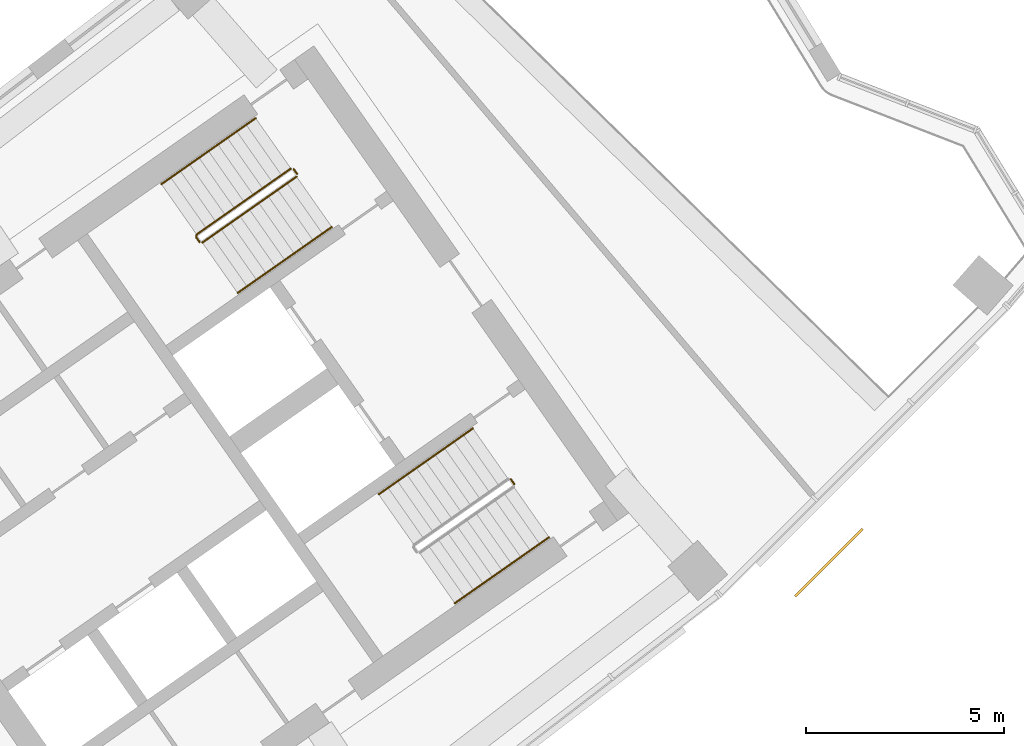
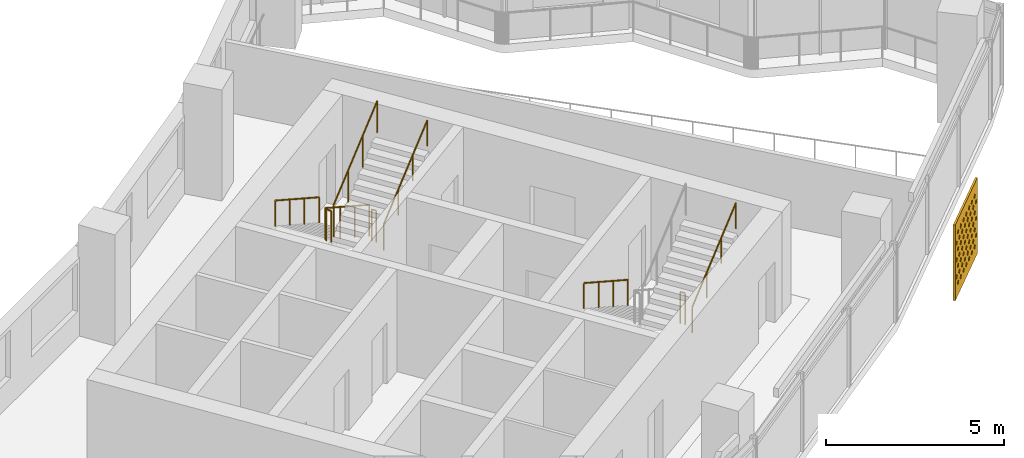
# One storey, part 28 of 29: 8 railings, 1 shading device.
"""IFC4 building model written with IfcOpenShell, lengths in metres."""

from ifc_helpers import new_model, si_unit, direction, frame, origin, origin_2d, place, context, subcontext, project, spatial, polyline, circle, outline, extrude, material, material_profile, profile_set, type_object, element, save


model = new_model("IFC4")

# Units and contexts
model_context = context("Model", 3, precision=1e-05, world=origin(), true_north=direction((0.0, 1.0)))
body_context = subcontext(model_context, "Body", "Model", "MODEL_VIEW")
ifc_project = project(units=[si_unit("LENGTHUNIT", "METRE"), si_unit("AREAUNIT", "SQUARE_METRE"), si_unit("VOLUMEUNIT", "CUBIC_METRE"), si_unit("PLANEANGLEUNIT", "RADIAN"), si_unit("MASSUNIT", "GRAM", prefix="KILO")], contexts=[model_context])

# Site, building, storey
site_placement = place(None, origin())
site = spatial("IfcSite", under=ifc_project, at=site_placement, CompositionType="ELEMENT")
building_placement = place(site_placement, origin())
building = spatial("IfcBuilding", under=site, at=building_placement, Name="Qamariyya Broadcast Tower", CompositionType="ELEMENT")
storey_placement = place(building_placement, frame((0.0, 0.0, 207.5)))
storey = spatial("IfcBuildingStorey", under=building, at=storey_placement, Name="L49", CompositionType="ELEMENT", Elevation=207.5)

# Shading device
ifc_material_1 = material(Name="Perforated glazed terracotta", Category="masonry")
ifc_material_profile = material_profile(ifc_material_1, outline(polyline([(-1.199951171875, -1.300048828125), (1.199951171875, -1.300048828125), (1.199951171875, 1.300048828125), (-1.199951171875, 1.300048828125), (-1.199951171875, -1.300048828125)]), holes=[polyline([(-0.81494140625, -0.86669921875), (-0.89990234375, -0.78173828125), (-0.985107421875, -0.86669921875), (-0.89990234375, -0.95166015625), (-0.81494140625, -0.86669921875)]), polyline([(-0.514892578125, -0.86669921875), (-0.60009765625, -0.78173828125), (-0.68505859375, -0.86669921875), (-0.60009765625, -0.95166015625), (-0.514892578125, -0.86669921875)]), polyline([(-0.215087890625, -0.86669921875), (-0.300048828125, -0.78173828125), (-0.385009765625, -0.86669921875), (-0.300048828125, -0.95166015625), (-0.215087890625, -0.86669921875)]), polyline([(0.0849609375, -0.86669921875), (0.0, -0.78173828125), (-0.0849609375, -0.86669921875), (0.0, -0.95166015625), (0.0849609375, -0.86669921875)]), polyline([(0.385009765625, -0.86669921875), (0.300048828125, -0.78173828125), (0.215087890625, -0.86669921875), (0.300048828125, -0.95166015625), (0.385009765625, -0.86669921875)]), polyline([(0.68505859375, -0.86669921875), (0.60009765625, -0.78173828125), (0.514892578125, -0.86669921875), (0.60009765625, -0.95166015625), (0.68505859375, -0.86669921875)]), polyline([(0.985107421875, -0.86669921875), (0.89990234375, -0.78173828125), (0.81494140625, -0.86669921875), (0.89990234375, -0.95166015625), (0.985107421875, -0.86669921875)]), polyline([(-0.965087890625, -0.577880859375), (-1.050048828125, -0.49267578125), (-1.135009765625, -0.577880859375), (-1.050048828125, -0.662841796875), (-0.965087890625, -0.577880859375)]), polyline([(-0.6650390625, -0.577880859375), (-0.75, -0.49267578125), (-0.8349609375, -0.577880859375), (-0.75, -0.662841796875), (-0.6650390625, -0.577880859375)]), polyline([(-0.364990234375, -0.577880859375), (-0.449951171875, -0.49267578125), (-0.534912109375, -0.577880859375), (-0.449951171875, -0.662841796875), (-0.364990234375, -0.577880859375)]), polyline([(-0.06494140625, -0.577880859375), (-0.14990234375, -0.49267578125), (-0.235107421875, -0.577880859375), (-0.14990234375, -0.662841796875), (-0.06494140625, -0.577880859375)]), polyline([(0.235107421875, -0.577880859375), (0.14990234375, -0.49267578125), (0.06494140625, -0.577880859375), (0.14990234375, -0.662841796875), (0.235107421875, -0.577880859375)]), polyline([(0.534912109375, -0.577880859375), (0.449951171875, -0.49267578125), (0.364990234375, -0.577880859375), (0.449951171875, -0.662841796875), (0.534912109375, -0.577880859375)]), polyline([(0.8349609375, -0.577880859375), (0.75, -0.49267578125), (0.6650390625, -0.577880859375), (0.75, -0.662841796875), (0.8349609375, -0.577880859375)]), polyline([(1.135009765625, -0.577880859375), (1.050048828125, -0.49267578125), (0.965087890625, -0.577880859375), (1.050048828125, -0.662841796875), (1.135009765625, -0.577880859375)]), polyline([(-0.81494140625, -0.288818359375), (-0.89990234375, -0.203857421875), (-0.985107421875, -0.288818359375), (-0.89990234375, -0.373779296875), (-0.81494140625, -0.288818359375)]), polyline([(-0.514892578125, -0.288818359375), (-0.60009765625, -0.203857421875), (-0.68505859375, -0.288818359375), (-0.60009765625, -0.373779296875), (-0.514892578125, -0.288818359375)]), polyline([(-0.215087890625, -0.288818359375), (-0.300048828125, -0.203857421875), (-0.385009765625, -0.288818359375), (-0.300048828125, -0.373779296875), (-0.215087890625, -0.288818359375)]), polyline([(0.0849609375, -0.288818359375), (0.0, -0.203857421875), (-0.0849609375, -0.288818359375), (0.0, -0.373779296875), (0.0849609375, -0.288818359375)]), polyline([(0.385009765625, -0.288818359375), (0.300048828125, -0.203857421875), (0.215087890625, -0.288818359375), (0.300048828125, -0.373779296875), (0.385009765625, -0.288818359375)]), polyline([(0.68505859375, -0.288818359375), (0.60009765625, -0.203857421875), (0.514892578125, -0.288818359375), (0.60009765625, -0.373779296875), (0.68505859375, -0.288818359375)]), polyline([(0.985107421875, -0.288818359375), (0.89990234375, -0.203857421875), (0.81494140625, -0.288818359375), (0.89990234375, -0.373779296875), (0.985107421875, -0.288818359375)]), polyline([(-0.965087890625, 0.0), (-1.050048828125, 0.0849609375), (-1.135009765625, 0.0), (-1.050048828125, -0.0849609375), (-0.965087890625, 0.0)]), polyline([(-0.6650390625, 0.0), (-0.75, 0.0849609375), (-0.8349609375, 0.0), (-0.75, -0.0849609375), (-0.6650390625, 0.0)]), polyline([(-0.364990234375, 0.0), (-0.449951171875, 0.0849609375), (-0.534912109375, 0.0), (-0.449951171875, -0.0849609375), (-0.364990234375, 0.0)]), polyline([(-0.06494140625, 0.0), (-0.14990234375, 0.0849609375), (-0.235107421875, 0.0), (-0.14990234375, -0.0849609375), (-0.06494140625, 0.0)]), polyline([(0.235107421875, 0.0), (0.14990234375, 0.0849609375), (0.06494140625, 0.0), (0.14990234375, -0.0849609375), (0.235107421875, 0.0)]), polyline([(0.534912109375, 0.0), (0.449951171875, 0.0849609375), (0.364990234375, 0.0), (0.449951171875, -0.0849609375), (0.534912109375, 0.0)]), polyline([(0.8349609375, 0.0), (0.75, 0.0849609375), (0.6650390625, 0.0), (0.75, -0.0849609375), (0.8349609375, 0.0)]), polyline([(1.135009765625, 0.0), (1.050048828125, 0.0849609375), (0.965087890625, 0.0), (1.050048828125, -0.0849609375), (1.135009765625, 0.0)]), polyline([(-0.81494140625, 0.288818359375), (-0.89990234375, 0.373779296875), (-0.985107421875, 0.288818359375), (-0.89990234375, 0.203857421875), (-0.81494140625, 0.288818359375)]), polyline([(-0.514892578125, 0.288818359375), (-0.60009765625, 0.373779296875), (-0.68505859375, 0.288818359375), (-0.60009765625, 0.203857421875), (-0.514892578125, 0.288818359375)]), polyline([(-0.215087890625, 0.288818359375), (-0.300048828125, 0.373779296875), (-0.385009765625, 0.288818359375), (-0.300048828125, 0.203857421875), (-0.215087890625, 0.288818359375)]), polyline([(0.0849609375, 0.288818359375), (0.0, 0.373779296875), (-0.0849609375, 0.288818359375), (0.0, 0.203857421875), (0.0849609375, 0.288818359375)]), polyline([(0.385009765625, 0.288818359375), (0.300048828125, 0.373779296875), (0.215087890625, 0.288818359375), (0.300048828125, 0.203857421875), (0.385009765625, 0.288818359375)]), polyline([(0.68505859375, 0.288818359375), (0.60009765625, 0.373779296875), (0.514892578125, 0.288818359375), (0.60009765625, 0.203857421875), (0.68505859375, 0.288818359375)]), polyline([(0.985107421875, 0.288818359375), (0.89990234375, 0.373779296875), (0.81494140625, 0.288818359375), (0.89990234375, 0.203857421875), (0.985107421875, 0.288818359375)]), polyline([(-0.965087890625, 0.577880859375), (-1.050048828125, 0.662841796875), (-1.135009765625, 0.577880859375), (-1.050048828125, 0.49267578125), (-0.965087890625, 0.577880859375)]), polyline([(-0.6650390625, 0.577880859375), (-0.75, 0.662841796875), (-0.8349609375, 0.577880859375), (-0.75, 0.49267578125), (-0.6650390625, 0.577880859375)]), polyline([(-0.364990234375, 0.577880859375), (-0.449951171875, 0.662841796875), (-0.534912109375, 0.577880859375), (-0.449951171875, 0.49267578125), (-0.364990234375, 0.577880859375)]), polyline([(-0.06494140625, 0.577880859375), (-0.14990234375, 0.662841796875), (-0.235107421875, 0.577880859375), (-0.14990234375, 0.49267578125), (-0.06494140625, 0.577880859375)]), polyline([(0.235107421875, 0.577880859375), (0.14990234375, 0.662841796875), (0.06494140625, 0.577880859375), (0.14990234375, 0.49267578125), (0.235107421875, 0.577880859375)]), polyline([(0.534912109375, 0.577880859375), (0.449951171875, 0.662841796875), (0.364990234375, 0.577880859375), (0.449951171875, 0.49267578125), (0.534912109375, 0.577880859375)]), polyline([(0.8349609375, 0.577880859375), (0.75, 0.662841796875), (0.6650390625, 0.577880859375), (0.75, 0.49267578125), (0.8349609375, 0.577880859375)]), polyline([(1.135009765625, 0.577880859375), (1.050048828125, 0.662841796875), (0.965087890625, 0.577880859375), (1.050048828125, 0.49267578125), (1.135009765625, 0.577880859375)]), polyline([(-0.81494140625, 0.86669921875), (-0.89990234375, 0.95166015625), (-0.985107421875, 0.86669921875), (-0.89990234375, 0.78173828125), (-0.81494140625, 0.86669921875)]), polyline([(-0.514892578125, 0.86669921875), (-0.60009765625, 0.95166015625), (-0.68505859375, 0.86669921875), (-0.60009765625, 0.78173828125), (-0.514892578125, 0.86669921875)]), polyline([(-0.215087890625, 0.86669921875), (-0.300048828125, 0.95166015625), (-0.385009765625, 0.86669921875), (-0.300048828125, 0.78173828125), (-0.215087890625, 0.86669921875)]), polyline([(0.0849609375, 0.86669921875), (0.0, 0.95166015625), (-0.0849609375, 0.86669921875), (0.0, 0.78173828125), (0.0849609375, 0.86669921875)]), polyline([(0.385009765625, 0.86669921875), (0.300048828125, 0.95166015625), (0.215087890625, 0.86669921875), (0.300048828125, 0.78173828125), (0.385009765625, 0.86669921875)]), polyline([(0.68505859375, 0.86669921875), (0.60009765625, 0.95166015625), (0.514892578125, 0.86669921875), (0.60009765625, 0.78173828125), (0.68505859375, 0.86669921875)]), polyline([(0.985107421875, 0.86669921875), (0.89990234375, 0.95166015625), (0.81494140625, 0.86669921875), (0.89990234375, 0.78173828125), (0.985107421875, 0.86669921875)])]))
ifc_profile_set = profile_set([ifc_material_profile], Name="Perforated glazed terracotta")
shading_device_type = type_object("IfcShadingDeviceType", Name="Perforated terracotta screen 2400 x 2600", PredefinedType="USERDEFINED", material=ifc_profile_set)
shading_device_placement = place(storey_placement, frame((54.548828125, -58.237060546875, 1.35009765625), z_axis=(0.707106781187, -0.707106781187, 0.0), x_axis=(0.707106781187, 0.707106781187, 0.0)))
element("IfcShadingDevice", 1, at=shading_device_placement, inside=storey, type_object=shading_device_type, Name="e-scr-L49-14-0", ObjectType="SCREEN", PredefinedType="USERDEFINED", context=body_context, shape_type="SweptSolid", body=[
    extrude(outline(polyline([(-1.199951171875, -1.300048828125), (1.199951171875, -1.300048828125), (1.199951171875, 1.300048828125), (-1.199951171875, 1.300048828125), (-1.199951171875, -1.300048828125)]), holes=[polyline([(-0.81494140625, -0.86669921875), (-0.89990234375, -0.78173828125), (-0.985107421875, -0.86669921875), (-0.89990234375, -0.95166015625), (-0.81494140625, -0.86669921875)]), polyline([(-0.514892578125, -0.86669921875), (-0.60009765625, -0.78173828125), (-0.68505859375, -0.86669921875), (-0.60009765625, -0.95166015625), (-0.514892578125, -0.86669921875)]), polyline([(-0.215087890625, -0.86669921875), (-0.300048828125, -0.78173828125), (-0.385009765625, -0.86669921875), (-0.300048828125, -0.95166015625), (-0.215087890625, -0.86669921875)]), polyline([(0.0849609375, -0.86669921875), (0.0, -0.78173828125), (-0.0849609375, -0.86669921875), (0.0, -0.95166015625), (0.0849609375, -0.86669921875)]), polyline([(0.385009765625, -0.86669921875), (0.300048828125, -0.78173828125), (0.215087890625, -0.86669921875), (0.300048828125, -0.95166015625), (0.385009765625, -0.86669921875)]), polyline([(0.68505859375, -0.86669921875), (0.60009765625, -0.78173828125), (0.514892578125, -0.86669921875), (0.60009765625, -0.95166015625), (0.68505859375, -0.86669921875)]), polyline([(0.985107421875, -0.86669921875), (0.89990234375, -0.78173828125), (0.81494140625, -0.86669921875), (0.89990234375, -0.95166015625), (0.985107421875, -0.86669921875)]), polyline([(-0.965087890625, -0.577880859375), (-1.050048828125, -0.49267578125), (-1.135009765625, -0.577880859375), (-1.050048828125, -0.662841796875), (-0.965087890625, -0.577880859375)]), polyline([(-0.6650390625, -0.577880859375), (-0.75, -0.49267578125), (-0.8349609375, -0.577880859375), (-0.75, -0.662841796875), (-0.6650390625, -0.577880859375)]), polyline([(-0.364990234375, -0.577880859375), (-0.449951171875, -0.49267578125), (-0.534912109375, -0.577880859375), (-0.449951171875, -0.662841796875), (-0.364990234375, -0.577880859375)]), polyline([(-0.06494140625, -0.577880859375), (-0.14990234375, -0.49267578125), (-0.235107421875, -0.577880859375), (-0.14990234375, -0.662841796875), (-0.06494140625, -0.577880859375)]), polyline([(0.235107421875, -0.577880859375), (0.14990234375, -0.49267578125), (0.06494140625, -0.577880859375), (0.14990234375, -0.662841796875), (0.235107421875, -0.577880859375)]), polyline([(0.534912109375, -0.577880859375), (0.449951171875, -0.49267578125), (0.364990234375, -0.577880859375), (0.449951171875, -0.662841796875), (0.534912109375, -0.577880859375)]), polyline([(0.8349609375, -0.577880859375), (0.75, -0.49267578125), (0.6650390625, -0.577880859375), (0.75, -0.662841796875), (0.8349609375, -0.577880859375)]), polyline([(1.135009765625, -0.577880859375), (1.050048828125, -0.49267578125), (0.965087890625, -0.577880859375), (1.050048828125, -0.662841796875), (1.135009765625, -0.577880859375)]), polyline([(-0.81494140625, -0.288818359375), (-0.89990234375, -0.203857421875), (-0.985107421875, -0.288818359375), (-0.89990234375, -0.373779296875), (-0.81494140625, -0.288818359375)]), polyline([(-0.514892578125, -0.288818359375), (-0.60009765625, -0.203857421875), (-0.68505859375, -0.288818359375), (-0.60009765625, -0.373779296875), (-0.514892578125, -0.288818359375)]), polyline([(-0.215087890625, -0.288818359375), (-0.300048828125, -0.203857421875), (-0.385009765625, -0.288818359375), (-0.300048828125, -0.373779296875), (-0.215087890625, -0.288818359375)]), polyline([(0.0849609375, -0.288818359375), (0.0, -0.203857421875), (-0.0849609375, -0.288818359375), (0.0, -0.373779296875), (0.0849609375, -0.288818359375)]), polyline([(0.385009765625, -0.288818359375), (0.300048828125, -0.203857421875), (0.215087890625, -0.288818359375), (0.300048828125, -0.373779296875), (0.385009765625, -0.288818359375)]), polyline([(0.68505859375, -0.288818359375), (0.60009765625, -0.203857421875), (0.514892578125, -0.288818359375), (0.60009765625, -0.373779296875), (0.68505859375, -0.288818359375)]), polyline([(0.985107421875, -0.288818359375), (0.89990234375, -0.203857421875), (0.81494140625, -0.288818359375), (0.89990234375, -0.373779296875), (0.985107421875, -0.288818359375)]), polyline([(-0.965087890625, 0.0), (-1.050048828125, 0.0849609375), (-1.135009765625, 0.0), (-1.050048828125, -0.0849609375), (-0.965087890625, 0.0)]), polyline([(-0.6650390625, 0.0), (-0.75, 0.0849609375), (-0.8349609375, 0.0), (-0.75, -0.0849609375), (-0.6650390625, 0.0)]), polyline([(-0.364990234375, 0.0), (-0.449951171875, 0.0849609375), (-0.534912109375, 0.0), (-0.449951171875, -0.0849609375), (-0.364990234375, 0.0)]), polyline([(-0.06494140625, 0.0), (-0.14990234375, 0.0849609375), (-0.235107421875, 0.0), (-0.14990234375, -0.0849609375), (-0.06494140625, 0.0)]), polyline([(0.235107421875, 0.0), (0.14990234375, 0.0849609375), (0.06494140625, 0.0), (0.14990234375, -0.0849609375), (0.235107421875, 0.0)]), polyline([(0.534912109375, 0.0), (0.449951171875, 0.0849609375), (0.364990234375, 0.0), (0.449951171875, -0.0849609375), (0.534912109375, 0.0)]), polyline([(0.8349609375, 0.0), (0.75, 0.0849609375), (0.6650390625, 0.0), (0.75, -0.0849609375), (0.8349609375, 0.0)]), polyline([(1.135009765625, 0.0), (1.050048828125, 0.0849609375), (0.965087890625, 0.0), (1.050048828125, -0.0849609375), (1.135009765625, 0.0)]), polyline([(-0.81494140625, 0.288818359375), (-0.89990234375, 0.373779296875), (-0.985107421875, 0.288818359375), (-0.89990234375, 0.203857421875), (-0.81494140625, 0.288818359375)]), polyline([(-0.514892578125, 0.288818359375), (-0.60009765625, 0.373779296875), (-0.68505859375, 0.288818359375), (-0.60009765625, 0.203857421875), (-0.514892578125, 0.288818359375)]), polyline([(-0.215087890625, 0.288818359375), (-0.300048828125, 0.373779296875), (-0.385009765625, 0.288818359375), (-0.300048828125, 0.203857421875), (-0.215087890625, 0.288818359375)]), polyline([(0.0849609375, 0.288818359375), (0.0, 0.373779296875), (-0.0849609375, 0.288818359375), (0.0, 0.203857421875), (0.0849609375, 0.288818359375)]), polyline([(0.385009765625, 0.288818359375), (0.300048828125, 0.373779296875), (0.215087890625, 0.288818359375), (0.300048828125, 0.203857421875), (0.385009765625, 0.288818359375)]), polyline([(0.68505859375, 0.288818359375), (0.60009765625, 0.373779296875), (0.514892578125, 0.288818359375), (0.60009765625, 0.203857421875), (0.68505859375, 0.288818359375)]), polyline([(0.985107421875, 0.288818359375), (0.89990234375, 0.373779296875), (0.81494140625, 0.288818359375), (0.89990234375, 0.203857421875), (0.985107421875, 0.288818359375)]), polyline([(-0.965087890625, 0.577880859375), (-1.050048828125, 0.662841796875), (-1.135009765625, 0.577880859375), (-1.050048828125, 0.49267578125), (-0.965087890625, 0.577880859375)]), polyline([(-0.6650390625, 0.577880859375), (-0.75, 0.662841796875), (-0.8349609375, 0.577880859375), (-0.75, 0.49267578125), (-0.6650390625, 0.577880859375)]), polyline([(-0.364990234375, 0.577880859375), (-0.449951171875, 0.662841796875), (-0.534912109375, 0.577880859375), (-0.449951171875, 0.49267578125), (-0.364990234375, 0.577880859375)]), polyline([(-0.06494140625, 0.577880859375), (-0.14990234375, 0.662841796875), (-0.235107421875, 0.577880859375), (-0.14990234375, 0.49267578125), (-0.06494140625, 0.577880859375)]), polyline([(0.235107421875, 0.577880859375), (0.14990234375, 0.662841796875), (0.06494140625, 0.577880859375), (0.14990234375, 0.49267578125), (0.235107421875, 0.577880859375)]), polyline([(0.534912109375, 0.577880859375), (0.449951171875, 0.662841796875), (0.364990234375, 0.577880859375), (0.449951171875, 0.49267578125), (0.534912109375, 0.577880859375)]), polyline([(0.8349609375, 0.577880859375), (0.75, 0.662841796875), (0.6650390625, 0.577880859375), (0.75, 0.49267578125), (0.8349609375, 0.577880859375)]), polyline([(1.135009765625, 0.577880859375), (1.050048828125, 0.662841796875), (0.965087890625, 0.577880859375), (1.050048828125, 0.49267578125), (1.135009765625, 0.577880859375)]), polyline([(-0.81494140625, 0.86669921875), (-0.89990234375, 0.95166015625), (-0.985107421875, 0.86669921875), (-0.89990234375, 0.78173828125), (-0.81494140625, 0.86669921875)]), polyline([(-0.514892578125, 0.86669921875), (-0.60009765625, 0.95166015625), (-0.68505859375, 0.86669921875), (-0.60009765625, 0.78173828125), (-0.514892578125, 0.86669921875)]), polyline([(-0.215087890625, 0.86669921875), (-0.300048828125, 0.95166015625), (-0.385009765625, 0.86669921875), (-0.300048828125, 0.78173828125), (-0.215087890625, 0.86669921875)]), polyline([(0.0849609375, 0.86669921875), (0.0, 0.95166015625), (-0.0849609375, 0.86669921875), (0.0, 0.78173828125), (0.0849609375, 0.86669921875)]), polyline([(0.385009765625, 0.86669921875), (0.300048828125, 0.95166015625), (0.215087890625, 0.86669921875), (0.300048828125, 0.78173828125), (0.385009765625, 0.86669921875)]), polyline([(0.68505859375, 0.86669921875), (0.60009765625, 0.95166015625), (0.514892578125, 0.86669921875), (0.60009765625, 0.78173828125), (0.68505859375, 0.86669921875)]), polyline([(0.985107421875, 0.86669921875), (0.89990234375, 0.95166015625), (0.81494140625, 0.86669921875), (0.89990234375, 0.78173828125), (0.985107421875, 0.86669921875)])]), origin(), (0.0, 0.0, 1.0), 0.06005859375),
])

# Railings
ifc_material_2 = material(Name="Painted steel", Category="steel")
railing_type_1 = type_object("IfcRailingType", Name="Stair guard", PredefinedType="GUARDRAIL", material=ifc_material_2)
railing_1_placement = place(storey_placement, frame((41.003173828125, -48.320068359375, 0.172607421875)))
element("IfcRailing", 2, at=railing_1_placement, inside=storey, type_object=railing_type_1, Name="L49 ST-E2 stair guard 1", PredefinedType="GUARDRAIL", context=body_context, shape_type="SweptSolid", body=[
    extrude(circle(Radius=0.02392578125, at=origin_2d()), frame((0.0, 0.0, 1.076171875), z_axis=(-0.703770094002, -0.492783725636, 0.511734163933), x_axis=(0.573575343427, -0.819152809562, 0.0)), (0.0, 0.0, 1.0), 3.37548828125),
    extrude(circle(Radius=0.02392578125, at=origin_2d()), frame((-2.37548828125, -1.663330078125, 2.80322265625), z_axis=(-0.172799478008, -0.984957024646, 0.0), x_axis=(0.984957024646, -0.172799478008, 0.0)), (0.0, 0.0, 1.0), 0.070556640625),
    extrude(circle(Radius=0.02392578125, at=origin_2d()), frame((-2.3876953125, -1.73291015625, 2.80322265625), z_axis=(0.572588637393, -0.819842821722, 0.0), x_axis=(0.819842821722, 0.572588637393, 0.0)), (0.0, 0.0, 1.0), 0.150146484375),
    extrude(circle(Radius=0.02099609375, at=origin_2d()), origin(), (0.0, 0.0, 1.0), 1.052001953125),
    extrude(circle(Radius=0.02099609375, at=origin_2d()), frame((-0.791748046875, -0.554443359375, 0.57568359375)), (0.0, 0.0, 1.0), 1.052001953125),
    extrude(circle(Radius=0.02099609375, at=origin_2d()), frame((-1.583740234375, -1.10888671875, 1.151611328125)), (0.0, 0.0, 1.0), 1.052001953125),
    extrude(circle(Radius=0.02099609375, at=origin_2d()), frame((-2.37548828125, -1.663330078125, 1.727294921875)), (0.0, 0.0, 1.0), 1.052001953125),
    extrude(circle(Radius=0.02099609375, at=origin_2d()), frame((-2.3876953125, -1.73291015625, 1.727294921875)), (0.0, 0.0, 1.0), 1.052001953125),
    extrude(circle(Radius=0.02099609375, at=origin_2d()), frame((-2.3017578125, -1.85595703125, 1.727294921875)), (0.0, 0.0, 1.0), 1.052001953125),
])
railing_2_placement = place(storey_placement, frame((38.771240234375, -50.188232421875, 2.07275390625)))
element("IfcRailing", 3, at=railing_2_placement, inside=storey, type_object=railing_type_1, Name="L49 ST-E2 stair guard 2", PredefinedType="GUARDRAIL", context=body_context, shape_type="SweptSolid", body=[
    extrude(circle(Radius=0.02392578125, at=origin_2d()), frame((0.0, 0.0, 1.076171875), z_axis=(0.703770094002, 0.492783725636, 0.511734163933), x_axis=(-0.573575343427, 0.819152809562, 0.0)), (0.0, 0.0, 1.0), 3.37548828125),
    extrude(circle(Radius=0.02099609375, at=origin_2d()), origin(), (0.0, 0.0, 1.0), 1.052001953125),
    extrude(circle(Radius=0.02099609375, at=origin_2d()), frame((0.791748046875, 0.554443359375, 0.57568359375)), (0.0, 0.0, 1.0), 1.052001953125),
    extrude(circle(Radius=0.02099609375, at=origin_2d()), frame((1.583740234375, 1.10888671875, 1.151611328125)), (0.0, 0.0, 1.0), 1.052001953125),
    extrude(circle(Radius=0.02099609375, at=origin_2d()), frame((2.37548828125, 1.663330078125, 1.727294921875)), (0.0, 0.0, 1.0), 1.052001953125),
])
railing_3_placement = place(storey_placement, frame((41.072998046875, -48.332275390625, 0.0)))
element("IfcRailing", 4, at=railing_3_placement, inside=storey, type_object=railing_type_1, Name="L49 ST-E2 stair guard 3", PredefinedType="GUARDRAIL", context=body_context, shape_type="SweptSolid", body=[
    extrude(circle(Radius=0.02392578125, at=origin_2d()), frame((0.0, 0.0, 1.076171875), z_axis=(0.572588637393, -0.819842821722, 0.0), x_axis=(0.819842821722, 0.572588637393, 0.0)), (0.0, 0.0, 1.0), 0.150146484375),
    extrude(circle(Radius=0.02099609375, at=origin_2d()), origin(), (0.0, 0.0, 1.0), 1.052001953125),
    extrude(circle(Radius=0.02099609375, at=origin_2d()), frame((0.0859375, -0.123046875, 0.0)), (0.0, 0.0, 1.0), 1.052001953125),
])
railing_4_placement = place(storey_placement, frame((46.550537109375, -56.1552734375, 0.0)))
element("IfcRailing", 5, at=railing_4_placement, inside=storey, type_object=railing_type_1, Name="L49 ST-E1 stair guard 3", PredefinedType="GUARDRAIL", context=body_context, shape_type="SweptSolid", body=[
    extrude(circle(Radius=0.02392578125, at=origin_2d()), frame((0.0, 0.0, 1.076171875), z_axis=(0.574444878118, -0.818543268254, 0.0), x_axis=(0.818543268254, 0.574444878118, 0.0)), (0.0, 0.0, 1.0), 0.150146484375),
    extrude(circle(Radius=0.02099609375, at=origin_2d()), origin(), (0.0, 0.0, 1.0), 1.052001953125),
    extrude(circle(Radius=0.02099609375, at=origin_2d()), frame((0.086181640625, -0.122802734375, 0.0)), (0.0, 0.0, 1.0), 1.052001953125),
])
ifc_material_3 = material(Name="Stainless steel", Category="steel")
railing_type_2 = type_object("IfcRailingType", Name="Stair handrail", PredefinedType="HANDRAIL", material=ifc_material_3)
railing_5_placement = place(storey_placement, frame((40.1142578125, -47.05029296875, 0.172607421875)))
element("IfcRailing", 6, at=railing_5_placement, inside=storey, type_object=railing_type_2, Name="L49 ST-E2 stair handrail 1", PredefinedType="HANDRAIL", context=body_context, shape_type="SweptSolid", body=[
    extrude(circle(Radius=0.02392578125, at=origin_2d()), frame((0.0, 0.0, 0.8759765625), z_axis=(-0.703745009021, -0.492838488332, 0.511715923826), x_axis=(0.573631830683, -0.819113253969, 0.0)), (0.0, 0.0, 1.0), 3.37548828125),
    extrude(circle(Radius=0.02099609375, at=origin_2d()), origin(), (0.0, 0.0, 1.0), 0.851806640625),
    extrude(circle(Radius=0.02099609375, at=origin_2d()), frame((-0.791748046875, -0.554443359375, 0.57568359375)), (0.0, 0.0, 1.0), 0.851806640625),
    extrude(circle(Radius=0.02099609375, at=origin_2d()), frame((-1.583740234375, -1.109130859375, 1.151611328125)), (0.0, 0.0, 1.0), 0.851806640625),
    extrude(circle(Radius=0.02099609375, at=origin_2d()), frame((-2.37548828125, -1.66357421875, 1.727294921875)), (0.0, 0.0, 1.0), 0.851806640625),
])
railing_6_placement = place(storey_placement, frame((39.66015625, -51.4580078125, 2.07275390625)))
element("IfcRailing", 7, at=railing_6_placement, inside=storey, type_object=railing_type_2, Name="L49 ST-E2 stair handrail 2", PredefinedType="HANDRAIL", context=body_context, shape_type="SweptSolid", body=[
    extrude(circle(Radius=0.02392578125, at=origin_2d()), frame((0.0, 0.0, 0.8759765625), z_axis=(0.703745009021, 0.492838488332, 0.511715923826), x_axis=(-0.573631830683, 0.819113253969, 0.0)), (0.0, 0.0, 1.0), 3.37548828125),
    extrude(circle(Radius=0.02099609375, at=origin_2d()), origin(), (0.0, 0.0, 1.0), 0.851806640625),
    extrude(circle(Radius=0.02099609375, at=origin_2d()), frame((0.791748046875, 0.554443359375, 0.57568359375)), (0.0, 0.0, 1.0), 0.851806640625),
    extrude(circle(Radius=0.02099609375, at=origin_2d()), frame((1.583740234375, 1.109130859375, 1.151611328125)), (0.0, 0.0, 1.0), 0.851806640625),
    extrude(circle(Radius=0.02099609375, at=origin_2d()), frame((2.37548828125, 1.66357421875, 1.727294921875)), (0.0, 0.0, 1.0), 0.851806640625),
])
railing_7_placement = place(storey_placement, frame((45.591796875, -54.873291015625, 0.172607421875)))
element("IfcRailing", 8, at=railing_7_placement, inside=storey, type_object=railing_type_2, Name="L49 ST-E1 stair handrail 1", PredefinedType="HANDRAIL", context=body_context, shape_type="SweptSolid", body=[
    extrude(circle(Radius=0.02392578125, at=origin_2d()), frame((0.0, 0.0, 0.8759765625), z_axis=(-0.703770094002, -0.492783725636, 0.511734163933), x_axis=(0.573575343427, -0.819152809562, 0.0)), (0.0, 0.0, 1.0), 3.37548828125),
    extrude(circle(Radius=0.02099609375, at=origin_2d()), origin(), (0.0, 0.0, 1.0), 0.851806640625),
    extrude(circle(Radius=0.02099609375, at=origin_2d()), frame((-0.791748046875, -0.554443359375, 0.57568359375)), (0.0, 0.0, 1.0), 0.851806640625),
    extrude(circle(Radius=0.02099609375, at=origin_2d()), frame((-1.583740234375, -1.10888671875, 1.151611328125)), (0.0, 0.0, 1.0), 0.851806640625),
    extrude(circle(Radius=0.02099609375, at=origin_2d()), frame((-2.37548828125, -1.663330078125, 1.727294921875)), (0.0, 0.0, 1.0), 0.851806640625),
])
railing_8_placement = place(storey_placement, frame((45.137939453125, -59.28076171875, 2.07275390625)))
element("IfcRailing", 9, at=railing_8_placement, inside=storey, type_object=railing_type_2, Name="L49 ST-E1 stair handrail 2", PredefinedType="HANDRAIL", context=body_context, shape_type="SweptSolid", body=[
    extrude(circle(Radius=0.02392578125, at=origin_2d()), frame((0.0, 0.0, 0.8759765625), z_axis=(0.703770094002, 0.492783725636, 0.511734163933), x_axis=(-0.573575343427, 0.819152809562, 0.0)), (0.0, 0.0, 1.0), 3.37548828125),
    extrude(circle(Radius=0.02099609375, at=origin_2d()), origin(), (0.0, 0.0, 1.0), 0.851806640625),
    extrude(circle(Radius=0.02099609375, at=origin_2d()), frame((0.791748046875, 0.554443359375, 0.57568359375)), (0.0, 0.0, 1.0), 0.851806640625),
    extrude(circle(Radius=0.02099609375, at=origin_2d()), frame((1.583740234375, 1.10888671875, 1.151611328125)), (0.0, 0.0, 1.0), 0.851806640625),
    extrude(circle(Radius=0.02099609375, at=origin_2d()), frame((2.37548828125, 1.663330078125, 1.727294921875)), (0.0, 0.0, 1.0), 0.851806640625),
])

save(model, "model.ifc")
